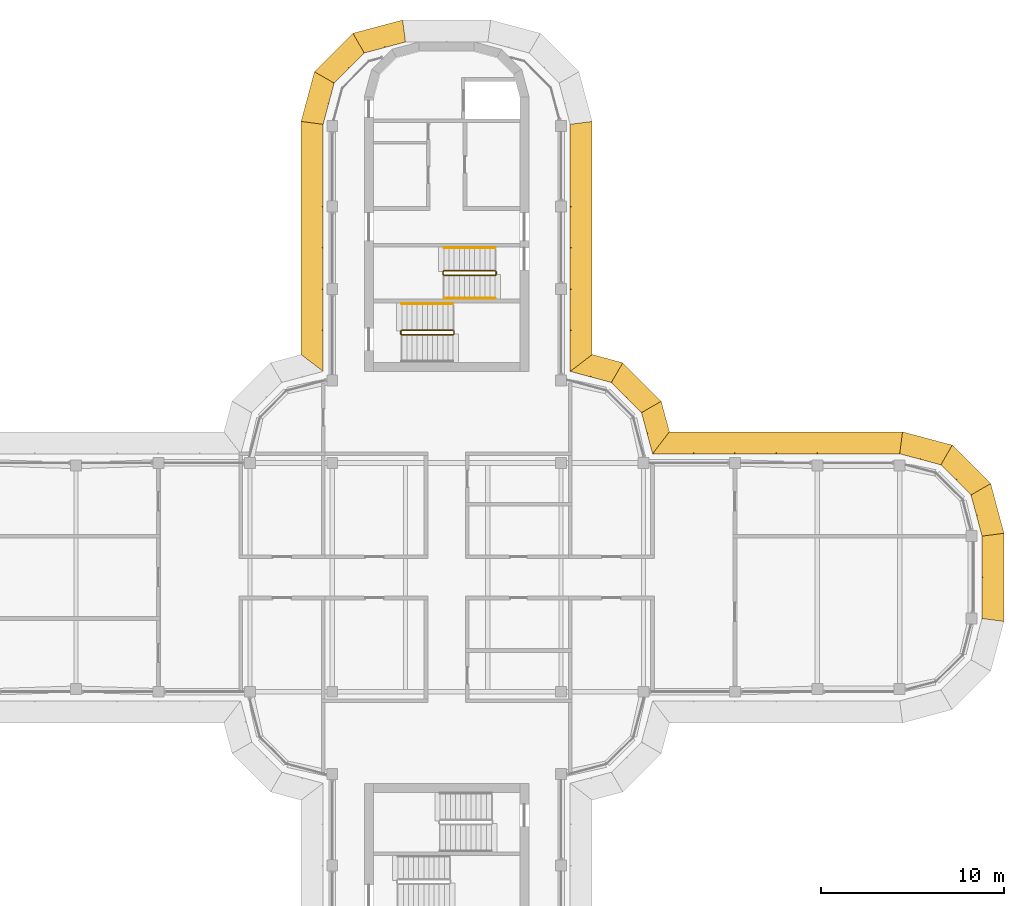
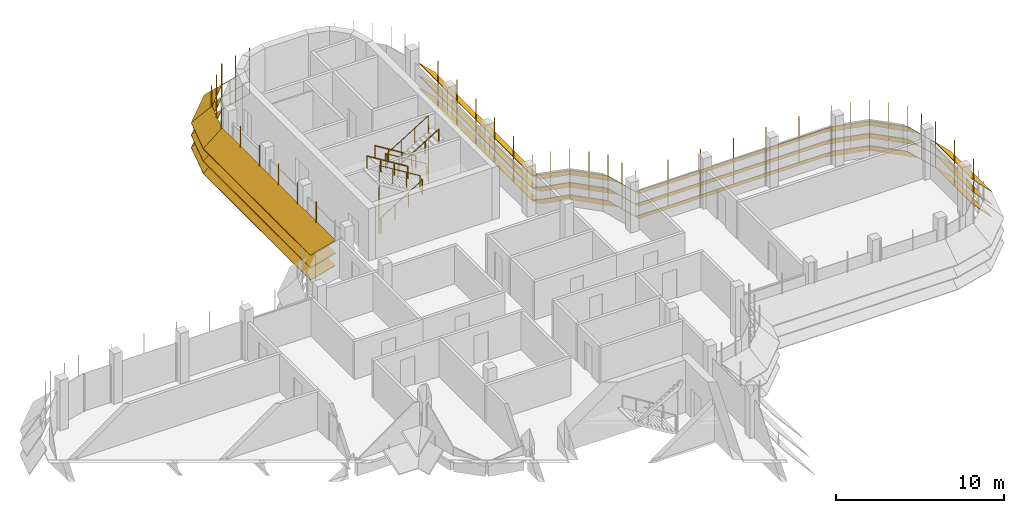
# One storey, part 18 of 19: 7 shading devices, 5 railings.
"""IFC4 building model written with IfcOpenShell, lengths in metres."""

from ifc_helpers import new_model, si_unit, direction, frame, origin, origin_2d, place, context, subcontext, project, spatial, polyline, circle, outline, extrude, faceted_brep, source, transform, mapped, material, type_object, element, save


model = new_model("IFC4")

# Units and contexts
model_context = context("Model", 3, precision=1e-05, world=origin(), true_north=direction((0.0, 1.0)))
body_context = subcontext(model_context, "Body", "Model", "MODEL_VIEW")
ifc_project = project(units=[si_unit("LENGTHUNIT", "METRE"), si_unit("AREAUNIT", "SQUARE_METRE"), si_unit("VOLUMEUNIT", "CUBIC_METRE"), si_unit("PLANEANGLEUNIT", "RADIAN"), si_unit("MASSUNIT", "GRAM", prefix="KILO")], contexts=[model_context])

# Site, building, storey
site_placement = place(None, origin())
site = spatial("IfcSite", under=ifc_project, at=site_placement, CompositionType="ELEMENT")
building_placement = place(site_placement, origin())
building = spatial("IfcBuilding", under=site, at=building_placement, Name="Zarbagh Exchange Tower", CompositionType="ELEMENT")
storey_placement = place(building_placement, frame((0.0, 0.0, 265.0)))
storey = spatial("IfcBuildingStorey", under=building, at=storey_placement, Name="L65", CompositionType="ELEMENT", Elevation=265.0)

# Railings
ifc_material_1 = material(Name="Stainless steel", Category="steel")
railing_type_1 = type_object("IfcRailingType", Name="Stair guard 1100 mm", PredefinedType="GUARDRAIL", material=ifc_material_1)
railing_1_placement = place(storey_placement, frame((2.64990234375, 16.75, 0.172607421875)))
element("IfcRailing", 1, at=railing_1_placement, inside=storey, type_object=railing_type_1, Name="ST1 stair guard 1", PredefinedType="GUARDRAIL", context=body_context, shape_type="SweptSolid", body=[
    extrude(circle(Radius=0.02392578125, at=origin_2d()), frame((0.0, 0.0, 1.076171875), z_axis=(-0.851069175582, 0.0, 0.525053576669), x_axis=(0.0, -1.0, 0.0)), (0.0, 0.0, 1.0), 3.289794921875),
    extrude(circle(Radius=0.02392578125, at=origin_2d()), frame((-2.7998046875, 0.0, 2.80322265625), z_axis=(-0.707106781187, -0.707106781187, 0.0), x_axis=(0.707106781187, -0.707106781187, 0.0)), (0.0, 0.0, 1.0), 0.07080078125),
    extrude(circle(Radius=0.02392578125, at=origin_2d()), frame((-2.849853515625, -0.050048828125, 2.80322265625), z_axis=(0.0, -1.0, 0.0), x_axis=(1.0, 0.0, 0.0)), (0.0, 0.0, 1.0), 0.14990234375),
    extrude(circle(Radius=0.02392578125, at=origin_2d()), frame((-2.849853515625, -0.199951171875, 2.80322265625), z_axis=(0.267953482034, -0.267953482034, 0.925419830635), x_axis=(0.707106781187, 0.707106781187, 0.0)), (0.0, 0.0, 1.0), 0.186767578125),
    extrude(circle(Radius=0.02392578125, at=origin_2d()), frame((-2.7998046875, -0.25, 2.97607421875), z_axis=(0.851069175582, 0.0, 0.525053576669), x_axis=(0.0, 1.0, 0.0)), (0.0, 0.0, 1.0), 3.289794921875),
    extrude(circle(Radius=0.02392578125, at=origin_2d()), frame((0.0, -0.25, 4.70361328125), z_axis=(0.013168290981, 0.013168290981, -0.999826581076), x_axis=(-0.707106781187, 0.707106781187, 0.0)), (0.0, 0.0, 1.0), 3.80078125),
    extrude(circle(Radius=0.02392578125, at=origin_2d()), frame((0.050048828125, -0.199951171875, 0.9033203125), z_axis=(0.0, 1.0, 0.0), x_axis=(-1.0, 0.0, 0.0)), (0.0, 0.0, 1.0), 0.14990234375),
    extrude(circle(Radius=0.02099609375, at=origin_2d()), origin(), (0.0, 0.0, 1.0), 1.052001953125),
    extrude(circle(Radius=0.02099609375, at=origin_2d()), frame((-0.933349609375, 0.0, 0.57568359375)), (0.0, 0.0, 1.0), 1.052001953125),
    extrude(circle(Radius=0.02099609375, at=origin_2d()), frame((-1.866455078125, 0.0, 1.151611328125)), (0.0, 0.0, 1.0), 1.052001953125),
    extrude(circle(Radius=0.02099609375, at=origin_2d()), frame((-2.7998046875, 0.0, 1.727294921875)), (0.0, 0.0, 1.0), 1.052001953125),
    extrude(circle(Radius=0.02099609375, at=origin_2d()), frame((-2.849853515625, -0.050048828125, 1.727294921875)), (0.0, 0.0, 1.0), 1.052001953125),
    extrude(circle(Radius=0.02099609375, at=origin_2d()), frame((-2.849853515625, -0.199951171875, 1.727294921875)), (0.0, 0.0, 1.0), 1.052001953125),
    extrude(circle(Radius=0.02099609375, at=origin_2d()), frame((-2.7998046875, -0.25, 1.900146484375)), (0.0, 0.0, 1.0), 1.052001953125),
    extrude(circle(Radius=0.02099609375, at=origin_2d()), frame((-1.866455078125, -0.25, 2.475830078125)), (0.0, 0.0, 1.0), 1.052001953125),
    extrude(circle(Radius=0.02099609375, at=origin_2d()), frame((-0.933349609375, -0.25, 3.0517578125)), (0.0, 0.0, 1.0), 1.052001953125),
    extrude(circle(Radius=0.02099609375, at=origin_2d()), frame((0.0, -0.25, 3.62744140625)), (0.0, 0.0, 1.0), 1.052001953125),
    extrude(circle(Radius=0.02099609375, at=origin_2d()), frame((0.012451171875, -0.237548828125, 2.677490234375)), (0.0, 0.0, 1.0), 1.052001953125),
    extrude(circle(Radius=0.02099609375, at=origin_2d()), frame((0.02490234375, -0.22509765625, 1.7275390625)), (0.0, 0.0, 1.0), 1.052001953125),
    extrude(circle(Radius=0.02099609375, at=origin_2d()), frame((0.03759765625, -0.21240234375, 0.77734375)), (0.0, 0.0, 1.0), 1.052001953125),
    extrude(circle(Radius=0.02099609375, at=origin_2d()), frame((0.050048828125, -0.199951171875, -0.172607421875)), (0.0, 0.0, 1.0), 1.052001953125),
    extrude(circle(Radius=0.02099609375, at=origin_2d()), frame((0.050048828125, -0.050048828125, -0.172607421875)), (0.0, 0.0, 1.0), 1.052001953125),
])
railing_2_placement = place(storey_placement, frame((0.35009765625, 13.5, 2.07275390625)))
element("IfcRailing", 2, at=railing_2_placement, inside=storey, type_object=railing_type_1, Name="ST2 stair guard 1", PredefinedType="GUARDRAIL", context=body_context, shape_type="SweptSolid", body=[
    extrude(circle(Radius=0.02392578125, at=origin_2d()), frame((0.0, 0.0, 1.076171875), z_axis=(-0.851089632645, 0.0, 0.525020415988), x_axis=(0.0, -1.0, 0.0)), (0.0, 0.0, 1.0), 3.2900390625),
    extrude(circle(Radius=0.02392578125, at=origin_2d()), frame((-2.800048828125, 0.0, 2.80322265625), z_axis=(-0.013168290981, -0.013168290981, -0.999826581076), x_axis=(0.707106781187, -0.707106781187, 0.0)), (0.0, 0.0, 1.0), 3.80078125),
    extrude(circle(Radius=0.02392578125, at=origin_2d()), frame((-2.85009765625, -0.050048828125, -0.99658203125), z_axis=(0.0, -1.0, 0.0), x_axis=(1.0, 0.0, 0.0)), (0.0, 0.0, 1.0), 0.14990234375),
    extrude(circle(Radius=0.02392578125, at=origin_2d()), frame((-2.85009765625, -0.199951171875, -0.99658203125), z_axis=(0.268277960024, -0.268277960024, 0.925231793839), x_axis=(0.707106781187, 0.707106781187, 0.0)), (0.0, 0.0, 1.0), 0.1865234375),
    extrude(circle(Radius=0.02392578125, at=origin_2d()), frame((-2.800048828125, -0.25, -0.82421875), z_axis=(0.851089632645, 0.0, 0.525020415988), x_axis=(0.0, 1.0, 0.0)), (0.0, 0.0, 1.0), 3.2900390625),
    extrude(circle(Radius=0.02392578125, at=origin_2d()), frame((0.0, -0.25, 0.9033203125), z_axis=(0.705375805398, 0.708833529934, 0.0), x_axis=(-0.708833529934, 0.705375805398, 0.0)), (0.0, 0.0, 1.0), 0.070556640625),
    extrude(circle(Radius=0.02392578125, at=origin_2d()), frame((0.0498046875, -0.199951171875, 0.9033203125), z_axis=(0.0, 1.0, 0.0), x_axis=(-1.0, 0.0, 0.0)), (0.0, 0.0, 1.0), 0.14990234375),
    extrude(circle(Radius=0.02099609375, at=origin_2d()), origin(), (0.0, 0.0, 1.0), 1.052001953125),
    extrude(circle(Radius=0.02099609375, at=origin_2d()), frame((-0.933349609375, 0.0, 0.57568359375)), (0.0, 0.0, 1.0), 1.052001953125),
    extrude(circle(Radius=0.02099609375, at=origin_2d()), frame((-1.86669921875, 0.0, 1.151611328125)), (0.0, 0.0, 1.0), 1.052001953125),
    extrude(circle(Radius=0.02099609375, at=origin_2d()), frame((-2.800048828125, 0.0, 1.727294921875)), (0.0, 0.0, 1.0), 1.052001953125),
    extrude(circle(Radius=0.02099609375, at=origin_2d()), frame((-2.8125, -0.012451171875, 0.77734375)), (0.0, 0.0, 1.0), 1.052001953125),
    extrude(circle(Radius=0.02099609375, at=origin_2d()), frame((-2.8251953125, -0.02490234375, -0.1728515625)), (0.0, 0.0, 1.0), 1.052001953125),
    extrude(circle(Radius=0.02099609375, at=origin_2d()), frame((-2.837646484375, -0.03759765625, -1.122802734375)), (0.0, 0.0, 1.0), 1.052001953125),
    extrude(circle(Radius=0.02099609375, at=origin_2d()), frame((-2.85009765625, -0.050048828125, -2.07275390625)), (0.0, 0.0, 1.0), 1.052001953125),
    extrude(circle(Radius=0.02099609375, at=origin_2d()), frame((-2.85009765625, -0.199951171875, -2.07275390625)), (0.0, 0.0, 1.0), 1.052001953125),
    extrude(circle(Radius=0.02099609375, at=origin_2d()), frame((-2.800048828125, -0.25, -1.900146484375)), (0.0, 0.0, 1.0), 1.052001953125),
    extrude(circle(Radius=0.02099609375, at=origin_2d()), frame((-1.86669921875, -0.25, -1.324462890625)), (0.0, 0.0, 1.0), 1.052001953125),
    extrude(circle(Radius=0.02099609375, at=origin_2d()), frame((-0.933349609375, -0.25, -0.74853515625)), (0.0, 0.0, 1.0), 1.052001953125),
    extrude(circle(Radius=0.02099609375, at=origin_2d()), frame((0.0, -0.25, -0.1728515625)), (0.0, 0.0, 1.0), 1.052001953125),
    extrude(circle(Radius=0.02099609375, at=origin_2d()), frame((0.0498046875, -0.199951171875, -0.1728515625)), (0.0, 0.0, 1.0), 1.052001953125),
    extrude(circle(Radius=0.02099609375, at=origin_2d()), frame((0.0498046875, -0.050048828125, -0.1728515625)), (0.0, 0.0, 1.0), 1.052001953125),
])
railing_type_2 = type_object("IfcRailingType", Name="Stair handrail 900 mm", PredefinedType="HANDRAIL", material=ifc_material_1)
railing_3_placement = place(storey_placement, frame((2.64990234375, 18.0, 0.172607421875)))
element("IfcRailing", 3, at=railing_3_placement, inside=storey, type_object=railing_type_2, Name="ST1 stair handrail 1", PredefinedType="HANDRAIL", context=body_context, shape_type="SweptSolid", body=[
    extrude(circle(Radius=0.02392578125, at=origin_2d()), frame((0.0, 0.0, 0.8759765625), z_axis=(-0.851069175582, 0.0, 0.525053576669), x_axis=(0.0, -1.0, 0.0)), (0.0, 0.0, 1.0), 3.289794921875),
    extrude(circle(Radius=0.02099609375, at=origin_2d()), origin(), (0.0, 0.0, 1.0), 0.851806640625),
    extrude(circle(Radius=0.02099609375, at=origin_2d()), frame((-0.933349609375, 0.0, 0.57568359375)), (0.0, 0.0, 1.0), 0.851806640625),
    extrude(circle(Radius=0.02099609375, at=origin_2d()), frame((-1.866455078125, 0.0, 1.151611328125)), (0.0, 0.0, 1.0), 0.851806640625),
    extrude(circle(Radius=0.02099609375, at=origin_2d()), frame((-2.7998046875, 0.0, 1.727294921875)), (0.0, 0.0, 1.0), 0.851806640625),
])
railing_4_placement = place(storey_placement, frame((-0.14990234375, 15.25, 2.07275390625)))
element("IfcRailing", 4, at=railing_4_placement, inside=storey, type_object=railing_type_2, Name="ST1 stair handrail 2", PredefinedType="HANDRAIL", context=body_context, shape_type="SweptSolid", body=[
    extrude(circle(Radius=0.02392578125, at=origin_2d()), frame((0.0, 0.0, 0.8759765625), z_axis=(0.851069175582, 0.0, 0.525053576669), x_axis=(0.0, 1.0, 0.0)), (0.0, 0.0, 1.0), 3.289794921875),
    extrude(circle(Radius=0.02099609375, at=origin_2d()), origin(), (0.0, 0.0, 1.0), 0.851806640625),
    extrude(circle(Radius=0.02099609375, at=origin_2d()), frame((0.933349609375, 0.0, 0.57568359375)), (0.0, 0.0, 1.0), 0.851806640625),
    extrude(circle(Radius=0.02099609375, at=origin_2d()), frame((1.866455078125, 0.0, 1.151611328125)), (0.0, 0.0, 1.0), 0.851806640625),
    extrude(circle(Radius=0.02099609375, at=origin_2d()), frame((2.7998046875, 0.0, 1.727294921875)), (0.0, 0.0, 1.0), 0.851806640625),
])
railing_5_placement = place(storey_placement, frame((0.35009765625, 14.949951171875, 2.07275390625)))
element("IfcRailing", 5, at=railing_5_placement, inside=storey, type_object=railing_type_2, Name="ST2 stair handrail 2", PredefinedType="HANDRAIL", context=body_context, shape_type="SweptSolid", body=[
    extrude(circle(Radius=0.02392578125, at=origin_2d()), frame((0.0, 0.0, 0.8759765625), z_axis=(-0.851089632645, 0.0, 0.525020415988), x_axis=(0.0, -1.0, 0.0)), (0.0, 0.0, 1.0), 3.2900390625),
    extrude(circle(Radius=0.02099609375, at=origin_2d()), origin(), (0.0, 0.0, 1.0), 0.851806640625),
    extrude(circle(Radius=0.02099609375, at=origin_2d()), frame((-0.933349609375, 0.0, 0.57568359375)), (0.0, 0.0, 1.0), 0.851806640625),
    extrude(circle(Radius=0.02099609375, at=origin_2d()), frame((-1.86669921875, 0.0, 1.151611328125)), (0.0, 0.0, 1.0), 0.851806640625),
    extrude(circle(Radius=0.02099609375, at=origin_2d()), frame((-2.800048828125, 0.0, 1.727294921875)), (0.0, 0.0, 1.0), 0.851806640625),
])

# Shading devices
ifc_material_2 = material(Name="Anodised aluminium blades and brackets", Category="aluminium")
shading_device_type = type_object("IfcShadingDeviceType", Name="SUNSHADE louvre band, 45 degree blades", PredefinedType="JALOUSIE", material=ifc_material_2)
shared_shape_1 = source(origin(), body_context, "Body", "Brep", [
    faceted_brep([(0.0, 0.0, 0.0), (0.0, 0.0, -0.056640625), (-0.157958984375, -1.199951171875, -1.256591796875), (-0.157958984375, -1.199951171875, -1.199951171875), (2.65087890625, -1.199951171875, -1.199951171875), (2.65087890625, -1.199951171875, -1.256591796875), (2.329345703125, 0.0, -0.056640625), (2.329345703125, 0.0, 0.0)], [[[0, 1, 2, 3]], [[4, 5, 6, 7]], [[0, 7, 6, 1]], [[1, 6, 5, 2]], [[2, 5, 4, 3]], [[3, 4, 7, 0]]]),
])
shared_shape_2 = source(origin(), body_context, "Body", "Brep", [
    faceted_brep([(0.0, 0.0, 0.0), (0.0, 0.0, -0.056640625), (-0.321533203125, -1.199951171875, -1.256591796875), (-0.321533203125, -1.199951171875, -1.199951171875), (2.65087890625, -1.199951171875, -1.199951171875), (2.65087890625, -1.199951171875, -1.256591796875), (2.329345703125, 0.0, -0.056640625), (2.329345703125, 0.0, 0.0)], [[[0, 1, 2, 3]], [[4, 5, 6, 7]], [[0, 7, 6, 1]], [[1, 6, 5, 2]], [[2, 5, 4, 3]], [[3, 4, 7, 0]]]),
])
shared_shape_3 = source(origin(), body_context, "Body", "Brep", [
    faceted_brep([(0.0, 0.0, 0.0), (0.0, 0.0, -0.056640625), (-0.321533203125, -1.199951171875, -1.256591796875), (-0.321533203125, -1.199951171875, -1.199951171875), (2.4873046875, -1.199951171875, -1.199951171875), (2.4873046875, -1.199951171875, -1.256591796875), (2.329345703125, 0.0, -0.056640625), (2.329345703125, 0.0, 0.0)], [[[0, 1, 2, 3]], [[4, 5, 6, 7]], [[0, 7, 6, 1]], [[1, 6, 5, 2]], [[2, 5, 4, 3]], [[3, 4, 7, 0]]]),
])
shared_shape_4 = source(origin(), body_context, "Body", "SweptSolid", [
    extrude(outline(polyline([(0.0, -0.012451171875), (0.06005859375, -0.012451171875), (0.06005859375, 0.012451171875), (0.0, 0.012451171875), (0.0, -0.012451171875)])), origin(), (0.0, 0.0, 1.0), 3.366455078125),
])
placement = place(storey_placement, origin())
element("IfcShadingDevice", 6, at=placement, inside=storey, type_object=shading_device_type, Name="SS53 sunshade band", PredefinedType="JALOUSIE", context=body_context, shape_type="MappedRepresentation", body=[
    mapped(shared_shape_1, transform((29.25, 2.25, 2.300048828125), x_axis=(-0.258824779902, 0.965924289636, 0.0), y_axis=(-0.965924289636, -0.258824779902, 0.0), z_axis=(0.0, 0.0, 1.0))),
    mapped(shared_shape_1, transform((29.25, 2.25, 1.39990234375), x_axis=(-0.258824779902, 0.965924289636, 0.0), y_axis=(-0.965924289636, -0.258824779902, 0.0), z_axis=(0.0, 0.0, 1.0))),
    mapped(shared_shape_1, transform((29.25, 2.25, 0.5), x_axis=(-0.258824779902, 0.965924289636, 0.0), y_axis=(-0.965924289636, -0.258824779902, 0.0), z_axis=(0.0, 0.0, 1.0))),
    mapped(shared_shape_2, transform((28.647216796875, 4.5, 2.300048828125), x_axis=(-0.707106781187, 0.707106781187, 0.0), y_axis=(-0.707106781187, -0.707106781187, 0.0), z_axis=(0.0, 0.0, 1.0))),
    mapped(shared_shape_2, transform((28.647216796875, 4.5, 1.39990234375), x_axis=(-0.707106781187, 0.707106781187, 0.0), y_axis=(-0.707106781187, -0.707106781187, 0.0), z_axis=(0.0, 0.0, 1.0))),
    mapped(shared_shape_2, transform((28.647216796875, 4.5, 0.5), x_axis=(-0.707106781187, 0.707106781187, 0.0), y_axis=(-0.707106781187, -0.707106781187, 0.0), z_axis=(0.0, 0.0, 1.0))),
    mapped(shared_shape_3, transform((27.0, 6.147216796875, 2.300048828125), x_axis=(-0.965924289636, 0.258824779902, 0.0), y_axis=(-0.258824779902, -0.965924289636, 0.0), z_axis=(0.0, 0.0, 1.0))),
    mapped(shared_shape_3, transform((27.0, 6.147216796875, 1.39990234375), x_axis=(-0.965924289636, 0.258824779902, 0.0), y_axis=(-0.258824779902, -0.965924289636, 0.0), z_axis=(0.0, 0.0, 1.0))),
    mapped(shared_shape_3, transform((27.0, 6.147216796875, 0.5), x_axis=(-0.965924289636, 0.258824779902, 0.0), y_axis=(-0.258824779902, -0.965924289636, 0.0), z_axis=(0.0, 0.0, 1.0))),
    mapped(shared_shape_4, transform((29.25, 2.25, 0.413330078125), x_axis=(0.991444457092, 0.130529263012, 0.0), y_axis=(-0.130529263012, 0.991444457092, 0.0), z_axis=(0.0, 0.0, 1.0))),
    mapped(shared_shape_4, transform((28.948486328125, 3.375, 0.413330078125), x_axis=(0.96592421511, 0.258825058029, 0.0), y_axis=(-0.258825058029, 0.96592421511, 0.0), z_axis=(0.0, 0.0, 1.0))),
    mapped(shared_shape_4, transform((28.647216796875, 4.5, 0.413330078125), x_axis=(0.866023812018, 0.50000275701, 0.0), y_axis=(-0.50000275701, 0.866023812018, 0.0), z_axis=(0.0, 0.0, 1.0))),
    mapped(shared_shape_4, transform((27.823486328125, 5.323486328125, 0.413330078125), x_axis=(0.707106781187, 0.707106781187, 0.0), y_axis=(-0.707106781187, 0.707106781187, 0.0), z_axis=(0.0, 0.0, 1.0))),
    mapped(shared_shape_4, transform((27.0, 6.147216796875, 0.413330078125), x_axis=(0.50000275701, 0.866023812018, 0.0), y_axis=(-0.866023812018, 0.50000275701, 0.0), z_axis=(0.0, 0.0, 1.0))),
    mapped(shared_shape_4, transform((25.875, 6.448486328125, 0.413330078125), x_axis=(0.258825058029, 0.96592421511, 0.0), y_axis=(-0.96592421511, 0.258825058029, 0.0), z_axis=(0.0, 0.0, 1.0))),
])
element("IfcShadingDevice", 7, at=placement, inside=storey, type_object=shading_device_type, Name="SS48 sunshade band", PredefinedType="JALOUSIE", context=body_context, shape_type="MappedRepresentation", body=[
    mapped(shared_shape_1, transform((-2.25, 29.25, 2.300048828125), x_axis=(-0.965924289636, -0.258824779902, 0.0), y_axis=(0.258824779902, -0.965924289636, 0.0), z_axis=(0.0, 0.0, 1.0))),
    mapped(shared_shape_1, transform((-2.25, 29.25, 1.39990234375), x_axis=(-0.965924289636, -0.258824779902, 0.0), y_axis=(0.258824779902, -0.965924289636, 0.0), z_axis=(0.0, 0.0, 1.0))),
    mapped(shared_shape_1, transform((-2.25, 29.25, 0.5), x_axis=(-0.965924289636, -0.258824779902, 0.0), y_axis=(0.258824779902, -0.965924289636, 0.0), z_axis=(0.0, 0.0, 1.0))),
    mapped(shared_shape_2, transform((-4.5, 28.647216796875, 2.300048828125), x_axis=(-0.707106781187, -0.707106781187, 0.0), y_axis=(0.707106781187, -0.707106781187, 0.0), z_axis=(0.0, 0.0, 1.0))),
    mapped(shared_shape_2, transform((-4.5, 28.647216796875, 1.39990234375), x_axis=(-0.707106781187, -0.707106781187, 0.0), y_axis=(0.707106781187, -0.707106781187, 0.0), z_axis=(0.0, 0.0, 1.0))),
    mapped(shared_shape_2, transform((-4.5, 28.647216796875, 0.5), x_axis=(-0.707106781187, -0.707106781187, 0.0), y_axis=(0.707106781187, -0.707106781187, 0.0), z_axis=(0.0, 0.0, 1.0))),
    mapped(shared_shape_3, transform((-6.147216796875, 27.0, 2.300048828125), x_axis=(-0.258824779902, -0.965924289636, 0.0), y_axis=(0.965924289636, -0.258824779902, 0.0), z_axis=(0.0, 0.0, 1.0))),
    mapped(shared_shape_3, transform((-6.147216796875, 27.0, 1.39990234375), x_axis=(-0.258824779902, -0.965924289636, 0.0), y_axis=(0.965924289636, -0.258824779902, 0.0), z_axis=(0.0, 0.0, 1.0))),
    mapped(shared_shape_3, transform((-6.147216796875, 27.0, 0.5), x_axis=(-0.258824779902, -0.965924289636, 0.0), y_axis=(0.965924289636, -0.258824779902, 0.0), z_axis=(0.0, 0.0, 1.0))),
    mapped(shared_shape_4, transform((-2.25, 29.25, 0.413330078125), x_axis=(-0.130529263012, 0.991444457092, 0.0), y_axis=(-0.991444457092, -0.130529263012, 0.0), z_axis=(0.0, 0.0, 1.0))),
    mapped(shared_shape_4, transform((-3.375, 28.948486328125, 0.413330078125), x_axis=(-0.258825058029, 0.96592421511, 0.0), y_axis=(-0.96592421511, -0.258825058029, 0.0), z_axis=(0.0, 0.0, 1.0))),
    mapped(shared_shape_4, transform((-4.5, 28.647216796875, 0.413330078125), x_axis=(-0.50000275701, 0.866023812018, 0.0), y_axis=(-0.866023812018, -0.50000275701, 0.0), z_axis=(0.0, 0.0, 1.0))),
    mapped(shared_shape_4, transform((-5.323486328125, 27.823486328125, 0.413330078125), x_axis=(-0.707106781187, 0.707106781187, 0.0), y_axis=(-0.707106781187, -0.707106781187, 0.0), z_axis=(0.0, 0.0, 1.0))),
    mapped(shared_shape_4, transform((-6.147216796875, 27.0, 0.413330078125), x_axis=(-0.866023812018, 0.50000275701, 0.0), y_axis=(-0.50000275701, -0.866023812018, 0.0), z_axis=(0.0, 0.0, 1.0))),
    mapped(shared_shape_4, transform((-6.448486328125, 25.875, 0.413330078125), x_axis=(-0.96592421511, 0.258825058029, 0.0), y_axis=(-0.258825058029, -0.96592421511, 0.0), z_axis=(0.0, 0.0, 1.0))),
])
shared_shape_5 = source(origin(), body_context, "Body", "Brep", [
    faceted_brep([(0.0, 0.0, 0.0), (0.0, 0.0, -0.056640625), (0.9208984375, -1.199951171875, -1.256591796875), (0.9208984375, -1.199951171875, -1.199951171875), (2.65087890625, -1.199951171875, -1.199951171875), (2.65087890625, -1.199951171875, -1.256591796875), (2.329345703125, 0.0, -0.056640625), (2.329345703125, 0.0, 0.0)], [[[0, 1, 2, 3]], [[4, 5, 6, 7]], [[0, 7, 6, 1]], [[1, 6, 5, 2]], [[2, 5, 4, 3]], [[3, 4, 7, 0]]]),
])
shared_shape_6 = source(origin(), body_context, "Body", "Brep", [
    faceted_brep([(0.0, 0.0, 0.0), (0.0, 0.0, -0.056640625), (-0.321533203125, -1.199951171875, -1.256591796875), (-0.321533203125, -1.199951171875, -1.199951171875), (1.40869140625, -1.199951171875, -1.199951171875), (1.40869140625, -1.199951171875, -1.256591796875), (2.329345703125, 0.0, -0.056640625), (2.329345703125, 0.0, 0.0)], [[[0, 1, 2, 3]], [[4, 5, 6, 7]], [[0, 7, 6, 1]], [[1, 6, 5, 2]], [[2, 5, 4, 3]], [[3, 4, 7, 0]]]),
])
element("IfcShadingDevice", 8, at=placement, inside=storey, type_object=shading_device_type, Name="SS09 sunshade band", PredefinedType="JALOUSIE", context=body_context, shape_type="MappedRepresentation", body=[
    mapped(shared_shape_5, transform((11.25, 6.75, 2.300048828125), x_axis=(-0.258824779902, 0.965924289636, 0.0), y_axis=(-0.965924289636, -0.258824779902, 0.0), z_axis=(0.0, 0.0, 1.0))),
    mapped(shared_shape_5, transform((11.25, 6.75, 1.39990234375), x_axis=(-0.258824779902, 0.965924289636, 0.0), y_axis=(-0.965924289636, -0.258824779902, 0.0), z_axis=(0.0, 0.0, 1.0))),
    mapped(shared_shape_5, transform((11.25, 6.75, 0.5), x_axis=(-0.258824779902, 0.965924289636, 0.0), y_axis=(-0.965924289636, -0.258824779902, 0.0), z_axis=(0.0, 0.0, 1.0))),
    mapped(shared_shape_2, transform((10.647216796875, 9.0, 2.300048828125), x_axis=(-0.707106781187, 0.707106781187, 0.0), y_axis=(-0.707106781187, -0.707106781187, 0.0), z_axis=(0.0, 0.0, 1.0))),
    mapped(shared_shape_2, transform((10.647216796875, 9.0, 1.39990234375), x_axis=(-0.707106781187, 0.707106781187, 0.0), y_axis=(-0.707106781187, -0.707106781187, 0.0), z_axis=(0.0, 0.0, 1.0))),
    mapped(shared_shape_2, transform((10.647216796875, 9.0, 0.5), x_axis=(-0.707106781187, 0.707106781187, 0.0), y_axis=(-0.707106781187, -0.707106781187, 0.0), z_axis=(0.0, 0.0, 1.0))),
    mapped(shared_shape_6, transform((9.0, 10.647216796875, 2.300048828125), x_axis=(-0.965924289636, 0.258824779902, 0.0), y_axis=(-0.258824779902, -0.965924289636, 0.0), z_axis=(0.0, 0.0, 1.0))),
    mapped(shared_shape_6, transform((9.0, 10.647216796875, 1.39990234375), x_axis=(-0.965924289636, 0.258824779902, 0.0), y_axis=(-0.258824779902, -0.965924289636, 0.0), z_axis=(0.0, 0.0, 1.0))),
    mapped(shared_shape_6, transform((9.0, 10.647216796875, 0.5), x_axis=(-0.965924289636, 0.258824779902, 0.0), y_axis=(-0.258824779902, -0.965924289636, 0.0), z_axis=(0.0, 0.0, 1.0))),
    mapped(shared_shape_4, transform((11.25, 6.75, 0.413330078125), x_axis=(0.608758892, 0.793355287, 0.0), y_axis=(-0.793355287, 0.608758892, 0.0), z_axis=(0.0, 0.0, 1.0))),
    mapped(shared_shape_4, transform((10.948486328125, 7.875, 0.413330078125), x_axis=(0.96592421511, 0.258825058029, 0.0), y_axis=(-0.258825058029, 0.96592421511, 0.0), z_axis=(0.0, 0.0, 1.0))),
    mapped(shared_shape_4, transform((10.647216796875, 9.0, 0.413330078125), x_axis=(0.866023812018, 0.50000275701, 0.0), y_axis=(-0.50000275701, 0.866023812018, 0.0), z_axis=(0.0, 0.0, 1.0))),
    mapped(shared_shape_4, transform((9.823486328125, 9.823486328125, 0.413330078125), x_axis=(0.707106781187, 0.707106781187, 0.0), y_axis=(-0.707106781187, 0.707106781187, 0.0), z_axis=(0.0, 0.0, 1.0))),
    mapped(shared_shape_4, transform((9.0, 10.647216796875, 0.413330078125), x_axis=(0.50000275701, 0.866023812018, 0.0), y_axis=(-0.866023812018, 0.50000275701, 0.0), z_axis=(0.0, 0.0, 1.0))),
    mapped(shared_shape_4, transform((7.875, 10.948486328125, 0.413330078125), x_axis=(0.258825058029, 0.96592421511, 0.0), y_axis=(-0.96592421511, 0.258825058029, 0.0), z_axis=(0.0, 0.0, 1.0))),
])
shared_shape_7 = source(origin(), body_context, "Body", "Brep", [
    faceted_brep([(0.0, 0.0, 0.0), (0.0, 0.0, -0.056640625), (-0.157958984375, -1.199951171875, -1.256591796875), (-0.157958984375, -1.199951171875, -1.199951171875), (4.657958984375, -1.199951171875, -1.199951171875), (4.657958984375, -1.199951171875, -1.256591796875), (4.5, 0.0, -0.056640625), (4.5, 0.0, 0.0)], [[[0, 1, 2, 3]], [[4, 5, 6, 7]], [[0, 7, 6, 1]], [[1, 6, 5, 2]], [[2, 5, 4, 3]], [[3, 4, 7, 0]]]),
])
element("IfcShadingDevice", 9, at=placement, inside=storey, type_object=shading_device_type, Name="SS52 sunshade band", PredefinedType="JALOUSIE", context=body_context, shape_type="MappedRepresentation", body=[
    mapped(shared_shape_7, transform((29.25, -2.25, 2.300048828125), x_axis=(0.0, 1.0, 0.0), y_axis=(-1.0, 0.0, 0.0), z_axis=(0.0, 0.0, 1.0))),
    mapped(shared_shape_7, transform((29.25, -2.25, 1.39990234375), x_axis=(0.0, 1.0, 0.0), y_axis=(-1.0, 0.0, 0.0), z_axis=(0.0, 0.0, 1.0))),
    mapped(shared_shape_7, transform((29.25, -2.25, 0.5), x_axis=(0.0, 1.0, 0.0), y_axis=(-1.0, 0.0, 0.0), z_axis=(0.0, 0.0, 1.0))),
    mapped(shared_shape_4, transform((29.25, -2.25, 0.413330078125), x_axis=(0.991444457092, -0.130529263012, 0.0), y_axis=(0.130529263012, 0.991444457092, 0.0), z_axis=(0.0, 0.0, 1.0))),
    mapped(shared_shape_4, transform((29.25, 0.0, 0.413330078125), x_axis=(1.0, 0.0, 0.0), y_axis=(0.0, 1.0, 0.0), z_axis=(0.0, 0.0, 1.0))),
])
shared_shape_8 = source(origin(), body_context, "Body", "Brep", [
    faceted_brep([(0.0, 0.0, 0.0), (0.0, 0.0, -0.056640625), (-0.157958984375, -1.199951171875, -1.256591796875), (-0.157958984375, -1.199951171875, -1.199951171875), (12.5791015625, -1.199951171875, -1.199951171875), (12.5791015625, -1.199951171875, -1.256591796875), (13.5, 0.0, -0.056640625), (13.5, 0.0, 0.0)], [[[0, 1, 2, 3]], [[4, 5, 6, 7]], [[0, 7, 6, 1]], [[1, 6, 5, 2]], [[2, 5, 4, 3]], [[3, 4, 7, 0]]]),
])
element("IfcShadingDevice", 10, at=placement, inside=storey, type_object=shading_device_type, Name="SS54 sunshade band", PredefinedType="JALOUSIE", context=body_context, shape_type="MappedRepresentation", body=[
    mapped(shared_shape_8, transform((24.75, 6.75, 2.300048828125), x_axis=(-1.0, 0.0, 0.0), y_axis=(0.0, -1.0, 0.0), z_axis=(0.0, 0.0, 1.0))),
    mapped(shared_shape_8, transform((24.75, 6.75, 1.39990234375), x_axis=(-1.0, 0.0, 0.0), y_axis=(0.0, -1.0, 0.0), z_axis=(0.0, 0.0, 1.0))),
    mapped(shared_shape_8, transform((24.75, 6.75, 0.5), x_axis=(-1.0, 0.0, 0.0), y_axis=(0.0, -1.0, 0.0), z_axis=(0.0, 0.0, 1.0))),
    mapped(shared_shape_4, transform((24.75, 6.75, 0.413330078125), x_axis=(0.130529263012, 0.991444457092, 0.0), y_axis=(-0.991444457092, 0.130529263012, 0.0), z_axis=(0.0, 0.0, 1.0))),
    mapped(shared_shape_4, transform((22.5, 6.75, 0.413330078125), x_axis=(0.0, 1.0, 0.0), y_axis=(-1.0, 0.0, 0.0), z_axis=(0.0, 0.0, 1.0))),
    mapped(shared_shape_4, transform((20.25, 6.75, 0.413330078125), x_axis=(0.0, 1.0, 0.0), y_axis=(-1.0, 0.0, 0.0), z_axis=(0.0, 0.0, 1.0))),
    mapped(shared_shape_4, transform((18.0, 6.75, 0.413330078125), x_axis=(0.0, 1.0, 0.0), y_axis=(-1.0, 0.0, 0.0), z_axis=(0.0, 0.0, 1.0))),
    mapped(shared_shape_4, transform((15.75, 6.75, 0.413330078125), x_axis=(0.0, 1.0, 0.0), y_axis=(-1.0, 0.0, 0.0), z_axis=(0.0, 0.0, 1.0))),
    mapped(shared_shape_4, transform((13.5, 6.75, 0.413330078125), x_axis=(0.0, 1.0, 0.0), y_axis=(-1.0, 0.0, 0.0), z_axis=(0.0, 0.0, 1.0))),
])
shared_shape_9 = source(origin(), body_context, "Body", "Brep", [
    faceted_brep([(0.0, 0.0, 0.0), (0.0, 0.0, -0.056640625), (0.9208984375, -1.199951171875, -1.256591796875), (0.9208984375, -1.199951171875, -1.199951171875), (13.657958984375, -1.199951171875, -1.199951171875), (13.657958984375, -1.199951171875, -1.256591796875), (13.5, 0.0, -0.056640625), (13.5, 0.0, 0.0)], [[[0, 1, 2, 3]], [[4, 5, 6, 7]], [[0, 7, 6, 1]], [[1, 6, 5, 2]], [[2, 5, 4, 3]], [[3, 4, 7, 0]]]),
])
element("IfcShadingDevice", 11, at=placement, inside=storey, type_object=shading_device_type, Name="SS45 sunshade band", PredefinedType="JALOUSIE", context=body_context, shape_type="MappedRepresentation", body=[
    mapped(shared_shape_9, transform((6.75, 11.25, 2.300048828125), x_axis=(0.0, 1.0, 0.0), y_axis=(-1.0, 0.0, 0.0), z_axis=(0.0, 0.0, 1.0))),
    mapped(shared_shape_9, transform((6.75, 11.25, 1.39990234375), x_axis=(0.0, 1.0, 0.0), y_axis=(-1.0, 0.0, 0.0), z_axis=(0.0, 0.0, 1.0))),
    mapped(shared_shape_9, transform((6.75, 11.25, 0.5), x_axis=(0.0, 1.0, 0.0), y_axis=(-1.0, 0.0, 0.0), z_axis=(0.0, 0.0, 1.0))),
    mapped(shared_shape_4, transform((6.75, 11.25, 0.413330078125), x_axis=(0.793355287, 0.608758892, 0.0), y_axis=(-0.608758892, 0.793355287, 0.0), z_axis=(0.0, 0.0, 1.0))),
    mapped(shared_shape_4, transform((6.75, 13.5, 0.413330078125), x_axis=(1.0, 0.0, 0.0), y_axis=(0.0, 1.0, 0.0), z_axis=(0.0, 0.0, 1.0))),
    mapped(shared_shape_4, transform((6.75, 15.75, 0.413330078125), x_axis=(1.0, 0.0, 0.0), y_axis=(0.0, 1.0, 0.0), z_axis=(0.0, 0.0, 1.0))),
    mapped(shared_shape_4, transform((6.75, 18.0, 0.413330078125), x_axis=(1.0, 0.0, 0.0), y_axis=(0.0, 1.0, 0.0), z_axis=(0.0, 0.0, 1.0))),
    mapped(shared_shape_4, transform((6.75, 20.25, 0.413330078125), x_axis=(1.0, 0.0, 0.0), y_axis=(0.0, 1.0, 0.0), z_axis=(0.0, 0.0, 1.0))),
    mapped(shared_shape_4, transform((6.75, 22.5, 0.413330078125), x_axis=(1.0, 0.0, 0.0), y_axis=(0.0, 1.0, 0.0), z_axis=(0.0, 0.0, 1.0))),
])
element("IfcShadingDevice", 12, at=placement, inside=storey, type_object=shading_device_type, Name="SS49 sunshade band", PredefinedType="JALOUSIE", context=body_context, shape_type="MappedRepresentation", body=[
    mapped(shared_shape_8, transform((-6.75, 24.75, 2.300048828125), x_axis=(0.0, -1.0, 0.0), y_axis=(1.0, 0.0, 0.0), z_axis=(0.0, 0.0, 1.0))),
    mapped(shared_shape_8, transform((-6.75, 24.75, 1.39990234375), x_axis=(0.0, -1.0, 0.0), y_axis=(1.0, 0.0, 0.0), z_axis=(0.0, 0.0, 1.0))),
    mapped(shared_shape_8, transform((-6.75, 24.75, 0.5), x_axis=(0.0, -1.0, 0.0), y_axis=(1.0, 0.0, 0.0), z_axis=(0.0, 0.0, 1.0))),
    mapped(shared_shape_4, transform((-6.75, 24.75, 0.413330078125), x_axis=(-0.991444457092, 0.130529263012, 0.0), y_axis=(-0.130529263012, -0.991444457092, 0.0), z_axis=(0.0, 0.0, 1.0))),
    mapped(shared_shape_4, transform((-6.75, 22.5, 0.413330078125), x_axis=(-1.0, 0.0, 0.0), y_axis=(0.0, -1.0, 0.0), z_axis=(0.0, 0.0, 1.0))),
    mapped(shared_shape_4, transform((-6.75, 20.25, 0.413330078125), x_axis=(-1.0, 0.0, 0.0), y_axis=(0.0, -1.0, 0.0), z_axis=(0.0, 0.0, 1.0))),
    mapped(shared_shape_4, transform((-6.75, 18.0, 0.413330078125), x_axis=(-1.0, 0.0, 0.0), y_axis=(0.0, -1.0, 0.0), z_axis=(0.0, 0.0, 1.0))),
    mapped(shared_shape_4, transform((-6.75, 15.75, 0.413330078125), x_axis=(-1.0, 0.0, 0.0), y_axis=(0.0, -1.0, 0.0), z_axis=(0.0, 0.0, 1.0))),
    mapped(shared_shape_4, transform((-6.75, 13.5, 0.413330078125), x_axis=(-1.0, 0.0, 0.0), y_axis=(0.0, -1.0, 0.0), z_axis=(0.0, 0.0, 1.0))),
])

save(model, "model.ifc")
